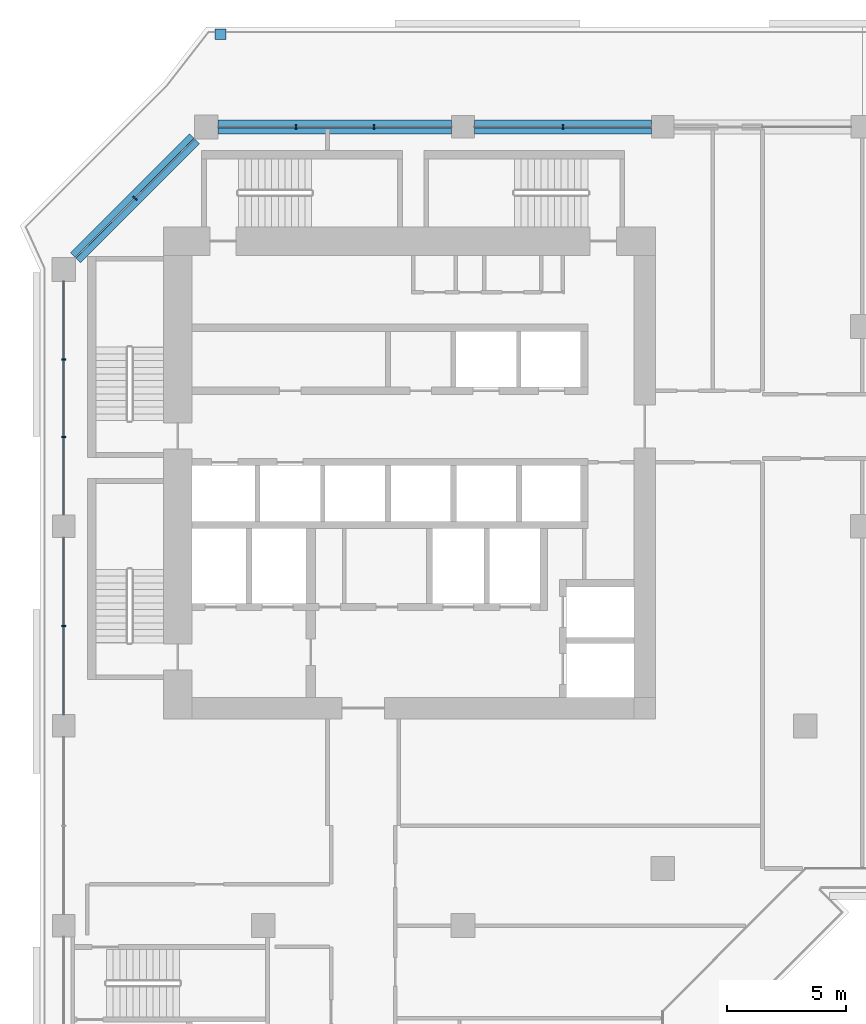
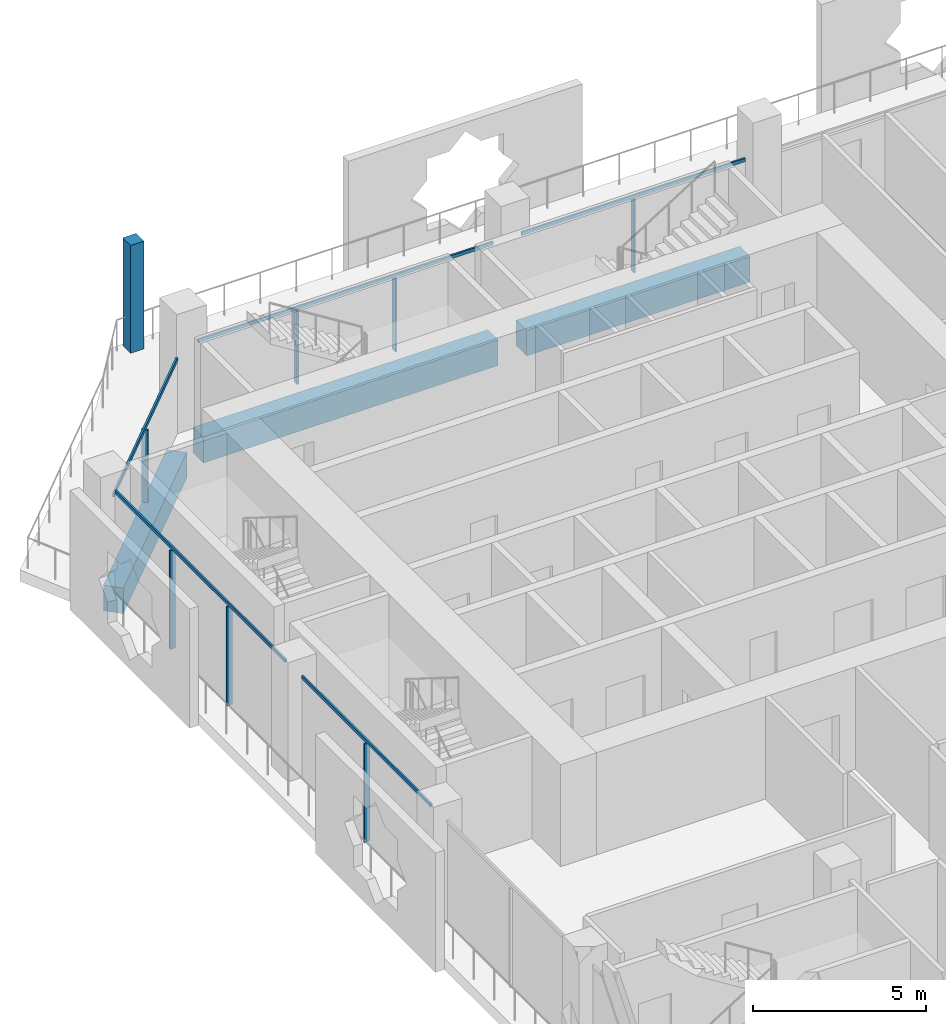
# One storey, part 5 of 22: 13 members, 3 beams, 4 elements without a shape of their own.
"""IFC4 building model written with IfcOpenShell, lengths in metres."""

from ifc_helpers import new_model, si_unit, direction, frame, origin, origin_2d, place, context, subcontext, project, spatial, rectangle, extrude, material, layer, layer_set, material_profile, profile_set, type_object, element, aggregate, save


model = new_model("IFC4")

# Units and contexts
model_context = context("Model", 3, precision=1e-05, world=origin(), true_north=direction((0.0, 1.0)))
body_context = subcontext(model_context, "Body", "Model", "MODEL_VIEW")
ifc_project = project(units=[si_unit("LENGTHUNIT", "METRE"), si_unit("AREAUNIT", "SQUARE_METRE"), si_unit("VOLUMEUNIT", "CUBIC_METRE"), si_unit("PLANEANGLEUNIT", "RADIAN"), si_unit("MASSUNIT", "GRAM", prefix="KILO")], contexts=[model_context])

# Site, building, storey
site_placement = place(None, origin())
site = spatial("IfcSite", under=ifc_project, at=site_placement, CompositionType="ELEMENT")
building_placement = place(site_placement, origin())
building = spatial("IfcBuilding", under=site, at=building_placement, Name="Kawkab Arch Medical Tower", CompositionType="ELEMENT")
storey_placement = place(building_placement, frame((0.0, 0.0, 171.0)))
storey = spatial("IfcBuildingStorey", under=building, at=storey_placement, Name="L39", CompositionType="ELEMENT", Elevation=171.0)

# Curtain wall, members
ifc_material_1 = material(Name="Bronze anodised aluminium curtain wall frame", Category="aluminium")
ifc_layer_1 = layer(ifc_material_1, 0.159912109375)
ifc_layer_set_1 = layer_set([ifc_layer_1], Name="Bronze anodised aluminium curtain wall frame")
curtain_wall_type_1 = type_object("IfcCurtainWallType", Name="CW1 ward curtain wall", PredefinedType="NOTDEFINED", material=ifc_layer_set_1)
placement = place(storey_placement, origin())
curtain_wall_1 = element("IfcCurtainWall", 1, at=placement, inside=storey, type_object=curtain_wall_type_1, Name="CW1 Ward curtain wall R01", PredefinedType="NOTDEFINED")
ifc_material_2 = material(Name="Bronze anodised aluminium curtain wall frame", Category="aluminium")
ifc_material_profile_1 = material_profile(ifc_material_2, rectangle(XDim=0.179931640625, YDim=0.06005859375, at=origin_2d()), Name="AL 60x180")
ifc_profile_set_1 = profile_set([ifc_material_profile_1], Name="Bronze anodised aluminium curtain wall frame")
member_type_1 = type_object("IfcMemberType", Name="CW1 mullion 60 x 180", PredefinedType="MULLION", material=ifc_profile_set_1)
member_1_placement = place(storey_placement, frame((0.0, -9.77490234375, 0.0), z_axis=(0.0, 0.0, 1.0), x_axis=(1.0, 0.0, 0.0)))
member_1 = element("IfcMember", 2, at=member_1_placement, type_object=member_type_1, Name="CW1 mullion 1.1", PredefinedType="MULLION", context=body_context, shape_type="SweptSolid", body=[
    extrude(rectangle(XDim=0.179931640625, YDim=0.06005859375, at=origin_2d()), origin(), (0.0, 0.0, 1.0), 3.47998046875),
])
member_2_placement = place(storey_placement, frame((0.0, -13.050048828125, 0.0), z_axis=(0.0, 0.0, 1.0), x_axis=(1.0, 0.0, 0.0)))
member_2 = element("IfcMember", 3, at=member_2_placement, type_object=member_type_1, Name="CW1 mullion 1.2", PredefinedType="MULLION", context=body_context, shape_type="SweptSolid", body=[
    extrude(rectangle(XDim=0.179931640625, YDim=0.06005859375, at=origin_2d()), origin(), (0.0, 0.0, 1.0), 3.47998046875),
])
member_3_placement = place(storey_placement, frame((0.0, -21.0, 0.0), z_axis=(0.0, 0.0, 1.0), x_axis=(1.0, 0.0, 0.0)))
member_3 = element("IfcMember", 4, at=member_3_placement, type_object=member_type_1, Name="CW1 mullion 2.1", PredefinedType="MULLION", context=body_context, shape_type="SweptSolid", body=[
    extrude(rectangle(XDim=0.179931640625, YDim=0.06005859375, at=origin_2d()), origin(), (0.0, 0.0, 1.0), 3.47998046875),
])

curtain_wall_2 = element("IfcCurtainWall", 5, at=placement, inside=storey, type_object=curtain_wall_type_1, Name="CW1 Ward curtain wall R11", PredefinedType="NOTDEFINED")
member_4_placement = place(storey_placement, frame((21.0, 0.0, 0.0), z_axis=(0.0, 0.0, 1.0), x_axis=(0.0, -1.0, 0.0)))
member_4 = element("IfcMember", 6, at=member_4_placement, type_object=member_type_1, Name="CW1 mullion 5.1", PredefinedType="MULLION", context=body_context, shape_type="SweptSolid", body=[
    extrude(rectangle(XDim=0.179931640625, YDim=0.06005859375, at=origin_2d()), origin(), (0.0, 0.0, 1.0), 2.580078125),
])
member_5_placement = place(storey_placement, frame((13.050048828125, 0.0, 0.0), z_axis=(0.0, 0.0, 1.0), x_axis=(0.0, -1.0, 0.0)))
member_5 = element("IfcMember", 7, at=member_5_placement, type_object=member_type_1, Name="CW1 mullion 6.1", PredefinedType="MULLION", context=body_context, shape_type="SweptSolid", body=[
    extrude(rectangle(XDim=0.179931640625, YDim=0.06005859375, at=origin_2d()), origin(), (0.0, 0.0, 1.0), 2.580078125),
])
member_6_placement = place(storey_placement, frame((9.77490234375, 0.0, 0.0), z_axis=(0.0, 0.0, 1.0), x_axis=(0.0, -1.0, 0.0)))
member_6 = element("IfcMember", 8, at=member_6_placement, type_object=member_type_1, Name="CW1 mullion 6.2", PredefinedType="MULLION", context=body_context, shape_type="SweptSolid", body=[
    extrude(rectangle(XDim=0.179931640625, YDim=0.06005859375, at=origin_2d()), origin(), (0.0, 0.0, 1.0), 2.580078125),
])

# Member
ifc_material_3 = material(Name="Bronze anodised aluminium curtain wall frame", Category="aluminium")
ifc_material_profile_2 = material_profile(ifc_material_3, rectangle(XDim=0.06005859375, YDim=0.1201171875, at=origin_2d()), Name="AL 60x120")
ifc_profile_set_2 = profile_set([ifc_material_profile_2], Name="Bronze anodised aluminium curtain wall frame")
member_type_2 = type_object("IfcMemberType", Name="CW1 transom 120 x 60", PredefinedType="USERDEFINED", material=ifc_profile_set_2)
member_7_placement = place(storey_placement, frame((0.0, -6.5, 3.5400390625), z_axis=(0.0, -1.0, 0.0), x_axis=(1.0, 0.0, 0.0)))
member_7 = element("IfcMember", 9, at=member_7_placement, type_object=member_type_2, Name="CW1 transom 1", ObjectType="TRANSOM", PredefinedType="USERDEFINED", context=body_context, shape_type="SweptSolid", body=[
    extrude(rectangle(XDim=0.06005859375, YDim=0.1201171875, at=origin_2d()), origin(), (0.0, 0.0, 1.0), 9.824951171875),
])

member_8_placement = place(storey_placement, frame((0.0, -17.27490234375, 3.5400390625), z_axis=(0.0, -1.0, 0.0), x_axis=(1.0, 0.0, 0.0)))
member_8 = element("IfcMember", 10, at=member_8_placement, type_object=member_type_2, Name="CW1 transom 2", ObjectType="TRANSOM", PredefinedType="USERDEFINED", context=body_context, shape_type="SweptSolid", body=[
    extrude(rectangle(XDim=0.06005859375, YDim=0.1201171875, at=origin_2d()), origin(), (0.0, 0.0, 1.0), 7.4501953125),
])

aggregate(curtain_wall_1, [member_7, member_1, member_2, member_8, member_3])

member_9_placement = place(storey_placement, frame((24.72509765625, 0.0, 2.639892578125), z_axis=(-1.0, 0.0, 0.0), x_axis=(0.0, -1.0, 0.0)))
member_9 = element("IfcMember", 11, at=member_9_placement, type_object=member_type_2, Name="CW1 transom 5", ObjectType="TRANSOM", PredefinedType="USERDEFINED", context=body_context, shape_type="SweptSolid", body=[
    extrude(rectangle(XDim=0.06005859375, YDim=0.1201171875, at=origin_2d()), origin(), (0.0, 0.0, 1.0), 7.4501953125),
])

member_10_placement = place(storey_placement, frame((16.324951171875, 0.0, 2.639892578125), z_axis=(-1.0, 0.0, 0.0), x_axis=(0.0, -1.0, 0.0)))
member_10 = element("IfcMember", 12, at=member_10_placement, type_object=member_type_2, Name="CW1 transom 6", ObjectType="TRANSOM", PredefinedType="USERDEFINED", context=body_context, shape_type="SweptSolid", body=[
    extrude(rectangle(XDim=0.06005859375, YDim=0.1201171875, at=origin_2d()), origin(), (0.0, 0.0, 1.0), 9.824951171875),
])

aggregate(curtain_wall_2, [member_9, member_4, member_10, member_5, member_6])

# Curtain wall, members
ifc_material_4 = material(Name="Bronze anodised aluminium curtain wall frame", Category="aluminium")
ifc_layer_2 = layer(ifc_material_4, 0.159912109375)
ifc_layer_set_2 = layer_set([ifc_layer_2], Name="Bronze anodised aluminium curtain wall frame")
curtain_wall_type_2 = type_object("IfcCurtainWallType", Name="CW2 chamfer curtain wall", PredefinedType="NOTDEFINED", material=ifc_layer_set_2)
curtain_wall_3 = element("IfcCurtainWall", 13, at=placement, inside=storey, type_object=curtain_wall_type_2, Name="CW2 Chamfer curtain wall R12", PredefinedType="NOTDEFINED")
ifc_material_5 = material(Name="Bronze anodised aluminium curtain wall frame", Category="aluminium")
ifc_material_profile_3 = material_profile(ifc_material_5, rectangle(XDim=0.199951171875, YDim=0.06005859375, at=origin_2d()), Name="AL 60x200")
ifc_profile_set_3 = profile_set([ifc_material_profile_3], Name="Bronze anodised aluminium curtain wall frame")
member_type_3 = type_object("IfcMemberType", Name="CW2 mullion 60 x 200", PredefinedType="MULLION", material=ifc_profile_set_3)
member_11_placement = place(storey_placement, frame((3.0, -3.0, 0.0), z_axis=(0.0, 0.0, 1.0), x_axis=(0.707106781187, -0.707106781187, 0.0)))
member_11 = element("IfcMember", 14, at=member_11_placement, type_object=member_type_3, Name="CW2 mullion 1.1", PredefinedType="MULLION", context=body_context, shape_type="SweptSolid", body=[
    extrude(rectangle(XDim=0.199951171875, YDim=0.06005859375, at=origin_2d()), origin(), (0.0, 0.0, 1.0), 2.56005859375),
])
ifc_material_6 = material(Name="Bronze anodised aluminium curtain wall frame", Category="aluminium")
ifc_material_profile_4 = material_profile(ifc_material_6, rectangle(XDim=0.06005859375, YDim=0.139892578125, at=origin_2d()), Name="AL 60x140")
ifc_profile_set_4 = profile_set([ifc_material_profile_4], Name="Bronze anodised aluminium curtain wall frame")
member_type_4 = type_object("IfcMemberType", Name="CW2 transom 140 x 60", PredefinedType="USERDEFINED", material=ifc_profile_set_4)
member_12_placement = place(storey_placement, frame((5.5, -0.5, 2.6298828125), z_axis=(-0.707106781187, -0.707106781187, 0.0), x_axis=(0.707106781187, -0.707106781187, 0.0)))
member_12 = element("IfcMember", 15, at=member_12_placement, type_object=member_type_4, Name="CW2 transom 1", ObjectType="TRANSOM", PredefinedType="USERDEFINED", context=body_context, shape_type="SweptSolid", body=[
    extrude(rectangle(XDim=0.06005859375, YDim=0.139892578125, at=origin_2d()), origin(), (0.0, 0.0, 1.0), 7.071044921875),
])
aggregate(curtain_wall_3, [member_12, member_11])

# Curtain wall, member
ifc_material_7 = material(Name="Bronze anodised aluminium climber frame, planted", Category="aluminium")
ifc_layer_3 = layer(ifc_material_7, 0.449951171875)
ifc_layer_set_3 = layer_set([ifc_layer_3], Name="Bronze anodised aluminium climber frame, planted")
curtain_wall_type_3 = type_object("IfcCurtainWallType", Name="Planted climber frame", PredefinedType="NOTDEFINED", material=ifc_layer_set_3)
curtain_wall_4 = element("IfcCurtainWall", 16, at=placement, inside=storey, type_object=curtain_wall_type_3, Name="Planted climber frame L39", PredefinedType="NOTDEFINED")
ifc_material_8 = material(Name="Bronze anodised aluminium climber frame, planted", Category="aluminium")
ifc_material_profile_5 = material_profile(ifc_material_8, rectangle(XDim=0.449951171875, YDim=0.449951171875, at=origin_2d()), Name="Post 450x450")
ifc_profile_set_5 = profile_set([ifc_material_profile_5], Name="Bronze anodised aluminium climber frame, planted")
member_type_5 = type_object("IfcMemberType", Name="Planted climber post 450 x 450", PredefinedType="MULLION", material=ifc_profile_set_5)
member_13_placement = place(storey_placement, frame((6.596923828125, 3.89990234375, 0.0), z_axis=(0.0, 0.0, 1.0), x_axis=(1.0, 0.0, 0.0)))
member_13 = element("IfcMember", 17, at=member_13_placement, type_object=member_type_5, Name="Planted climber post L39.LOG-01-01.1", PredefinedType="MULLION", context=body_context, shape_type="SweptSolid", body=[
    extrude(rectangle(XDim=0.449951171875, YDim=0.449951171875, at=origin_2d()), origin(), (0.0, 0.0, 1.0), 3.800048828125),
])
aggregate(curtain_wall_4, [member_13])

# Beams
ifc_material_9 = material(Name="Concrete C50/60", Category="concrete")
ifc_material_profile_6 = material_profile(ifc_material_9, rectangle(XDim=0.60009765625, YDim=0.89990234375, at=origin_2d()), Name="RC 600x900")
ifc_profile_set_6 = profile_set([ifc_material_profile_6], Name="Concrete C50/60")
beam_type = type_object("IfcBeamType", Name="RC 600x900 beam C50/60", PredefinedType="BEAM", material=ifc_profile_set_6)
beam_1_placement = place(storey_placement, frame((0.5, -5.5, -1.050048828125), z_axis=(0.707106781187, 0.707106781187, 0.0), x_axis=(-0.707106781187, 0.707106781187, 0.0)))
element("IfcBeam", 18, at=beam_1_placement, inside=storey, type_object=beam_type, Name="Overhang edge beam L39-01", PredefinedType="BEAM", context=body_context, shape_type="SweptSolid", body=[
    extrude(rectangle(XDim=0.60009765625, YDim=0.89990234375, at=origin_2d()), origin(), (0.0, 0.0, 1.0), 7.071044921875),
])
beam_2_placement = place(storey_placement, frame((6.5, 0.0, -1.050048828125), z_axis=(1.0, 0.0, 0.0), x_axis=(0.0, 1.0, 0.0)))
element("IfcBeam", 19, at=beam_2_placement, inside=storey, type_object=beam_type, Name="Overhang edge beam L39-02", PredefinedType="BEAM", context=body_context, shape_type="SweptSolid", body=[
    extrude(rectangle(XDim=0.60009765625, YDim=0.89990234375, at=origin_2d()), origin(), (0.0, 0.0, 1.0), 9.824951171875),
])
beam_3_placement = place(storey_placement, frame((17.27490234375, 0.0, -1.050048828125), z_axis=(1.0, 0.0, 0.0), x_axis=(0.0, 1.0, 0.0)))
element("IfcBeam", 20, at=beam_3_placement, inside=storey, type_object=beam_type, Name="Overhang edge beam L39-03", PredefinedType="BEAM", context=body_context, shape_type="SweptSolid", body=[
    extrude(rectangle(XDim=0.60009765625, YDim=0.89990234375, at=origin_2d()), origin(), (0.0, 0.0, 1.0), 7.4501953125),
])

save(model, "model.ifc")
